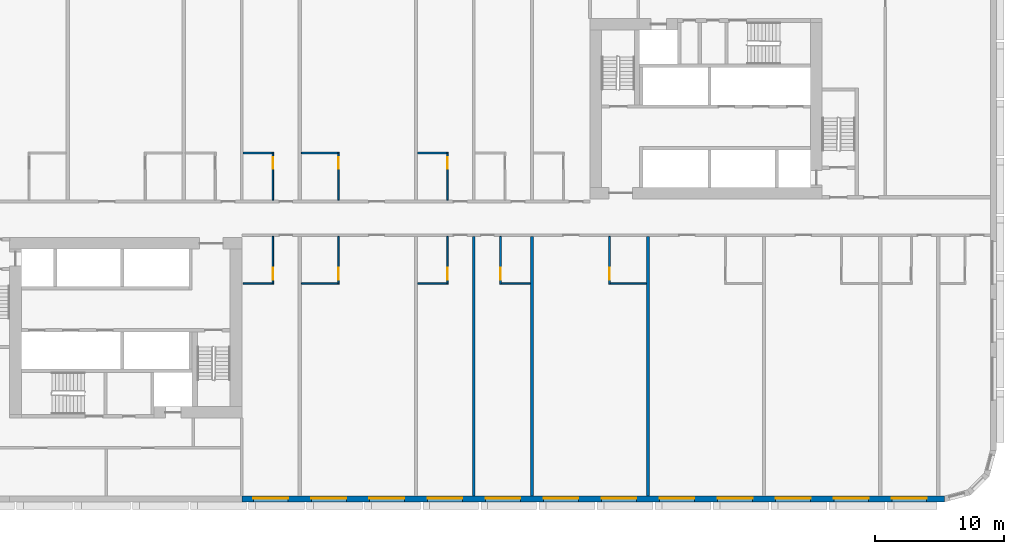
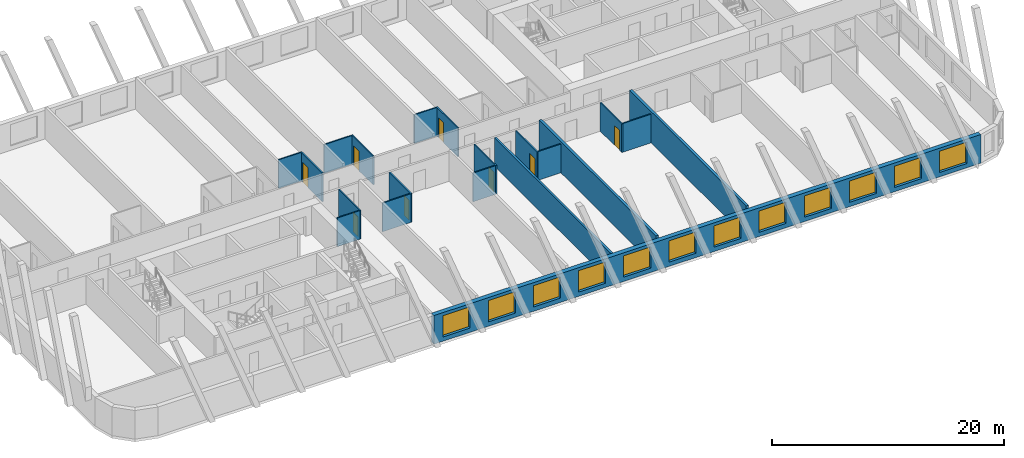
# One storey, part 4 of 13: 20 walls, 12 windows, 8 doors, 20 openings.
"""IFC4 building model written with IfcOpenShell, lengths in metres."""

from ifc_helpers import new_model, si_unit, direction, frame, frame_2d, origin, place, context, subcontext, project, spatial, rectangle, extrude, material, layer, layer_set, type_object, element, fill, save


model = new_model("IFC4")

# Units and contexts
model_context = context("Model", 3, precision=1e-05, world=origin(), true_north=direction((0.0, 1.0)))
body_context = subcontext(model_context, "Body", "Model", "MODEL_VIEW")
ifc_project = project(units=[si_unit("LENGTHUNIT", "METRE"), si_unit("AREAUNIT", "SQUARE_METRE"), si_unit("VOLUMEUNIT", "CUBIC_METRE"), si_unit("PLANEANGLEUNIT", "RADIAN"), si_unit("MASSUNIT", "GRAM", prefix="KILO")], contexts=[model_context])

# Site, building, storey
site_placement = place(None, origin())
site = spatial("IfcSite", under=ifc_project, at=site_placement, CompositionType="ELEMENT")
building_placement = place(site_placement, origin())
building = spatial("IfcBuilding", under=site, at=building_placement, Name="Kajstack Hotel Tower", CompositionType="ELEMENT")
storey_placement = place(building_placement, frame((0.0, 0.0, 60.0)))
storey = spatial("IfcBuildingStorey", under=building, at=storey_placement, Name="L09", CompositionType="ELEMENT", Elevation=60.0)

# Wall
ifc_material_1 = material(Name="Twin-frame gypsum board on steel studs, mineral wool", Category="steel")
ifc_layer_1 = layer(ifc_material_1, 0.199951171875)
ifc_layer_set_1 = layer_set([ifc_layer_1], Name="Demising wall 200")
wall_type_1 = type_object("IfcWallType", Name="Demising wall 200", PredefinedType="PARTITIONING", material=ifc_layer_set_1)
wall_1_placement = place(storey_placement, frame((4.5, -21.550048828125, 0.0), z_axis=(0.0, 0.0, 1.0), x_axis=(0.0, 1.0, 0.0)))
element("IfcWall", 1, at=wall_1_placement, inside=storey, type_object=wall_type_1, Name="G-wall-L09-031", PredefinedType="PARTITIONING", context=body_context, shape_type="SweptSolid", body=[
    extrude(rectangle(XDim=20.150146484375, YDim=0.199951171875, at=frame_2d((10.0751953125, 0.0))), origin(), (0.0, 0.0, 1.0), 3.02001953125),
])

# Wall, openings, windows
ifc_material_2 = material(Name="Terracotta-faced brick masonry", Category="masonry")
ifc_layer_2 = layer(ifc_material_2, 0.449951171875)
ifc_layer_set_2 = layer_set([ifc_layer_2], Name="EW-TERRA")
wall_type_2 = type_object("IfcWallType", Name="EW-TERRA", PredefinedType="SOLIDWALL", material=ifc_layer_set_2)
wall_2_placement = place(storey_placement, frame((-13.5, -21.77490234375, 0.0), z_axis=(0.0, 0.0, 1.0), x_axis=(1.0, 0.0, 0.0)))
wall_2 = element("IfcWall", 2, at=wall_2_placement, inside=storey, type_object=wall_type_2, Name="E-wall-L09-03-02", PredefinedType="SOLIDWALL", context=body_context, shape_type="SweptSolid", body=[
    extrude(rectangle(XDim=54.5, YDim=0.449951171875, at=frame_2d((27.25, 0.0))), origin(), (0.0, 0.0, 1.0), 3.02001953125),
])
opening_1_placement = place(wall_2_placement, frame((0.89990234375, 0.0, 0.449951171875)))
opening_1 = element("IfcOpeningElement", 3, at=opening_1_placement, cuts=wall_2, Name="Opening W1", PredefinedType="OPENING", context=body_context, shape_type="SweptSolid", body=[
    extrude(rectangle(XDim=2.699951171875, YDim=2.25, at=frame_2d((1.35009765625, 1.125))), frame((0.0, 0.23486328125, 0.0), z_axis=(0.0, -1.0, 0.0), x_axis=(1.0, 0.0, 0.0)), (0.0, 0.0, 1.0), 0.469970703125),
])
opening_2_placement = place(wall_2_placement, frame((5.39990234375, 0.0, 0.449951171875)))
opening_2 = element("IfcOpeningElement", 4, at=opening_2_placement, cuts=wall_2, Name="Opening W1", PredefinedType="OPENING", context=body_context, shape_type="SweptSolid", body=[
    extrude(rectangle(XDim=2.699951171875, YDim=2.25, at=frame_2d((1.35009765625, 1.125))), frame((0.0, 0.23486328125, 0.0), z_axis=(0.0, -1.0, 0.0), x_axis=(1.0, 0.0, 0.0)), (0.0, 0.0, 1.0), 0.469970703125),
])
opening_3_placement = place(wall_2_placement, frame((9.89990234375, 0.0, 0.449951171875)))
opening_3 = element("IfcOpeningElement", 5, at=opening_3_placement, cuts=wall_2, Name="Opening W1", PredefinedType="OPENING", context=body_context, shape_type="SweptSolid", body=[
    extrude(rectangle(XDim=2.699951171875, YDim=2.25, at=frame_2d((1.35009765625, 1.125))), frame((0.0, 0.23486328125, 0.0), z_axis=(0.0, -1.0, 0.0), x_axis=(1.0, 0.0, 0.0)), (0.0, 0.0, 1.0), 0.469970703125),
])
opening_4_placement = place(wall_2_placement, frame((14.39990234375, 0.0, 0.449951171875)))
opening_4 = element("IfcOpeningElement", 6, at=opening_4_placement, cuts=wall_2, Name="Opening W1", PredefinedType="OPENING", context=body_context, shape_type="SweptSolid", body=[
    extrude(rectangle(XDim=2.699951171875, YDim=2.25, at=frame_2d((1.35009765625, 1.125))), frame((0.0, 0.23486328125, 0.0), z_axis=(0.0, -1.0, 0.0), x_axis=(1.0, 0.0, 0.0)), (0.0, 0.0, 1.0), 0.469970703125),
])
opening_5_placement = place(wall_2_placement, frame((18.89990234375, 0.0, 0.449951171875)))
opening_5 = element("IfcOpeningElement", 7, at=opening_5_placement, cuts=wall_2, Name="Opening W1", PredefinedType="OPENING", context=body_context, shape_type="SweptSolid", body=[
    extrude(rectangle(XDim=2.699951171875, YDim=2.25, at=frame_2d((1.35009765625, 1.125))), frame((0.0, 0.23486328125, 0.0), z_axis=(0.0, -1.0, 0.0), x_axis=(1.0, 0.0, 0.0)), (0.0, 0.0, 1.0), 0.469970703125),
])
opening_6_placement = place(wall_2_placement, frame((23.39990234375, 0.0, 0.449951171875)))
opening_6 = element("IfcOpeningElement", 8, at=opening_6_placement, cuts=wall_2, Name="Opening W1", PredefinedType="OPENING", context=body_context, shape_type="SweptSolid", body=[
    extrude(rectangle(XDim=2.699951171875, YDim=2.25, at=frame_2d((1.35009765625, 1.125))), frame((0.0, 0.23486328125, 0.0), z_axis=(0.0, -1.0, 0.0), x_axis=(1.0, 0.0, 0.0)), (0.0, 0.0, 1.0), 0.469970703125),
])
opening_7_placement = place(wall_2_placement, frame((27.89990234375, 0.0, 0.449951171875)))
opening_7 = element("IfcOpeningElement", 9, at=opening_7_placement, cuts=wall_2, Name="Opening W1", PredefinedType="OPENING", context=body_context, shape_type="SweptSolid", body=[
    extrude(rectangle(XDim=2.699951171875, YDim=2.25, at=frame_2d((1.35009765625, 1.125))), frame((0.0, 0.23486328125, 0.0), z_axis=(0.0, -1.0, 0.0), x_axis=(1.0, 0.0, 0.0)), (0.0, 0.0, 1.0), 0.469970703125),
])
opening_8_placement = place(wall_2_placement, frame((32.39990234375, 0.0, 0.449951171875)))
opening_8 = element("IfcOpeningElement", 10, at=opening_8_placement, cuts=wall_2, Name="Opening W1", PredefinedType="OPENING", context=body_context, shape_type="SweptSolid", body=[
    extrude(rectangle(XDim=2.699951171875, YDim=2.25, at=frame_2d((1.35009765625, 1.125))), frame((0.0, 0.23486328125, 0.0), z_axis=(0.0, -1.0, 0.0), x_axis=(1.0, 0.0, 0.0)), (0.0, 0.0, 1.0), 0.469970703125),
])
opening_9_placement = place(wall_2_placement, frame((36.89990234375, 0.0, 0.449951171875)))
opening_9 = element("IfcOpeningElement", 11, at=opening_9_placement, cuts=wall_2, Name="Opening W1", PredefinedType="OPENING", context=body_context, shape_type="SweptSolid", body=[
    extrude(rectangle(XDim=2.699951171875, YDim=2.25, at=frame_2d((1.35009765625, 1.125))), frame((0.0, 0.23486328125, 0.0), z_axis=(0.0, -1.0, 0.0), x_axis=(1.0, 0.0, 0.0)), (0.0, 0.0, 1.0), 0.469970703125),
])
opening_10_placement = place(wall_2_placement, frame((41.39990234375, 0.0, 0.449951171875)))
opening_10 = element("IfcOpeningElement", 12, at=opening_10_placement, cuts=wall_2, Name="Opening W1", PredefinedType="OPENING", context=body_context, shape_type="SweptSolid", body=[
    extrude(rectangle(XDim=2.699951171875, YDim=2.25, at=frame_2d((1.35009765625, 1.125))), frame((0.0, 0.23486328125, 0.0), z_axis=(0.0, -1.0, 0.0), x_axis=(1.0, 0.0, 0.0)), (0.0, 0.0, 1.0), 0.469970703125),
])
opening_11_placement = place(wall_2_placement, frame((45.89990234375, 0.0, 0.449951171875)))
opening_11 = element("IfcOpeningElement", 13, at=opening_11_placement, cuts=wall_2, Name="Opening W1", PredefinedType="OPENING", context=body_context, shape_type="SweptSolid", body=[
    extrude(rectangle(XDim=2.699951171875, YDim=2.25, at=frame_2d((1.35009765625, 1.125))), frame((0.0, 0.23486328125, 0.0), z_axis=(0.0, -1.0, 0.0), x_axis=(1.0, 0.0, 0.0)), (0.0, 0.0, 1.0), 0.469970703125),
])
opening_12_placement = place(wall_2_placement, frame((50.39990234375, 0.0, 0.449951171875)))
opening_12 = element("IfcOpeningElement", 14, at=opening_12_placement, cuts=wall_2, Name="Opening W1", PredefinedType="OPENING", context=body_context, shape_type="SweptSolid", body=[
    extrude(rectangle(XDim=2.699951171875, YDim=2.25, at=frame_2d((1.35009765625, 1.125))), frame((0.0, 0.23486328125, 0.0), z_axis=(0.0, -1.0, 0.0), x_axis=(1.0, 0.0, 0.0)), (0.0, 0.0, 1.0), 0.469970703125),
])
ifc_material_3 = material(Name="Timber-aluminium window, triple glazed", Category="wood")
window_type = type_object("IfcWindowType", Name="WG1", PartitioningType="SINGLE_PANEL", PredefinedType="WINDOW", material=ifc_material_3)
window_1_placement = place(opening_1_placement, origin())
window_1 = element("IfcWindow", 15, at=window_1_placement, inside=storey, type_object=window_type, Name="Window W1 L09-03", OverallHeight=2.25, OverallWidth=2.699951171875, PartitioningType="SINGLE_PANEL", PredefinedType="WINDOW", context=body_context, shape_type="SweptSolid", body=[
    extrude(rectangle(XDim=2.699951171875, YDim=2.25, at=frame_2d((1.35009765625, 1.125))), frame((0.0, 0.090087890625, 0.0), z_axis=(0.0, -1.0, 0.0), x_axis=(1.0, 0.0, 0.0)), (0.0, 0.0, 1.0), 0.06005859375),
])
fill(opening_1, window_1)
window_2_placement = place(opening_2_placement, origin())
window_2 = element("IfcWindow", 16, at=window_2_placement, inside=storey, type_object=window_type, Name="Window W1 L09-03", OverallHeight=2.25, OverallWidth=2.699951171875, PartitioningType="SINGLE_PANEL", PredefinedType="WINDOW", context=body_context, shape_type="SweptSolid", body=[
    extrude(rectangle(XDim=2.699951171875, YDim=2.25, at=frame_2d((1.35009765625, 1.125))), frame((0.0, 0.090087890625, 0.0), z_axis=(0.0, -1.0, 0.0), x_axis=(1.0, 0.0, 0.0)), (0.0, 0.0, 1.0), 0.06005859375),
])
fill(opening_2, window_2)
window_3_placement = place(opening_3_placement, origin())
window_3 = element("IfcWindow", 17, at=window_3_placement, inside=storey, type_object=window_type, Name="Window W1 L09-03", OverallHeight=2.25, OverallWidth=2.699951171875, PartitioningType="SINGLE_PANEL", PredefinedType="WINDOW", context=body_context, shape_type="SweptSolid", body=[
    extrude(rectangle(XDim=2.699951171875, YDim=2.25, at=frame_2d((1.35009765625, 1.125))), frame((0.0, 0.090087890625, 0.0), z_axis=(0.0, -1.0, 0.0), x_axis=(1.0, 0.0, 0.0)), (0.0, 0.0, 1.0), 0.06005859375),
])
fill(opening_3, window_3)
window_4_placement = place(opening_4_placement, origin())
window_4 = element("IfcWindow", 18, at=window_4_placement, inside=storey, type_object=window_type, Name="Window W1 L09-03", OverallHeight=2.25, OverallWidth=2.699951171875, PartitioningType="SINGLE_PANEL", PredefinedType="WINDOW", context=body_context, shape_type="SweptSolid", body=[
    extrude(rectangle(XDim=2.699951171875, YDim=2.25, at=frame_2d((1.35009765625, 1.125))), frame((0.0, 0.090087890625, 0.0), z_axis=(0.0, -1.0, 0.0), x_axis=(1.0, 0.0, 0.0)), (0.0, 0.0, 1.0), 0.06005859375),
])
fill(opening_4, window_4)
window_5_placement = place(opening_5_placement, origin())
window_5 = element("IfcWindow", 19, at=window_5_placement, inside=storey, type_object=window_type, Name="Window W1 L09-03", OverallHeight=2.25, OverallWidth=2.699951171875, PartitioningType="SINGLE_PANEL", PredefinedType="WINDOW", context=body_context, shape_type="SweptSolid", body=[
    extrude(rectangle(XDim=2.699951171875, YDim=2.25, at=frame_2d((1.35009765625, 1.125))), frame((0.0, 0.090087890625, 0.0), z_axis=(0.0, -1.0, 0.0), x_axis=(1.0, 0.0, 0.0)), (0.0, 0.0, 1.0), 0.06005859375),
])
fill(opening_5, window_5)
window_6_placement = place(opening_6_placement, origin())
window_6 = element("IfcWindow", 20, at=window_6_placement, inside=storey, type_object=window_type, Name="Window W1 L09-03", OverallHeight=2.25, OverallWidth=2.699951171875, PartitioningType="SINGLE_PANEL", PredefinedType="WINDOW", context=body_context, shape_type="SweptSolid", body=[
    extrude(rectangle(XDim=2.699951171875, YDim=2.25, at=frame_2d((1.35009765625, 1.125))), frame((0.0, 0.090087890625, 0.0), z_axis=(0.0, -1.0, 0.0), x_axis=(1.0, 0.0, 0.0)), (0.0, 0.0, 1.0), 0.06005859375),
])
fill(opening_6, window_6)
window_7_placement = place(opening_7_placement, origin())
window_7 = element("IfcWindow", 21, at=window_7_placement, inside=storey, type_object=window_type, Name="Window W1 L09-03", OverallHeight=2.25, OverallWidth=2.699951171875, PartitioningType="SINGLE_PANEL", PredefinedType="WINDOW", context=body_context, shape_type="SweptSolid", body=[
    extrude(rectangle(XDim=2.699951171875, YDim=2.25, at=frame_2d((1.35009765625, 1.125))), frame((0.0, 0.090087890625, 0.0), z_axis=(0.0, -1.0, 0.0), x_axis=(1.0, 0.0, 0.0)), (0.0, 0.0, 1.0), 0.06005859375),
])
fill(opening_7, window_7)
window_8_placement = place(opening_8_placement, origin())
window_8 = element("IfcWindow", 22, at=window_8_placement, inside=storey, type_object=window_type, Name="Window W1 L09-03", OverallHeight=2.25, OverallWidth=2.699951171875, PartitioningType="SINGLE_PANEL", PredefinedType="WINDOW", context=body_context, shape_type="SweptSolid", body=[
    extrude(rectangle(XDim=2.699951171875, YDim=2.25, at=frame_2d((1.35009765625, 1.125))), frame((0.0, 0.090087890625, 0.0), z_axis=(0.0, -1.0, 0.0), x_axis=(1.0, 0.0, 0.0)), (0.0, 0.0, 1.0), 0.06005859375),
])
fill(opening_8, window_8)
window_9_placement = place(opening_9_placement, origin())
window_9 = element("IfcWindow", 23, at=window_9_placement, inside=storey, type_object=window_type, Name="Window W1 L09-03", OverallHeight=2.25, OverallWidth=2.699951171875, PartitioningType="SINGLE_PANEL", PredefinedType="WINDOW", context=body_context, shape_type="SweptSolid", body=[
    extrude(rectangle(XDim=2.699951171875, YDim=2.25, at=frame_2d((1.35009765625, 1.125))), frame((0.0, 0.090087890625, 0.0), z_axis=(0.0, -1.0, 0.0), x_axis=(1.0, 0.0, 0.0)), (0.0, 0.0, 1.0), 0.06005859375),
])
fill(opening_9, window_9)
window_10_placement = place(opening_10_placement, origin())
window_10 = element("IfcWindow", 24, at=window_10_placement, inside=storey, type_object=window_type, Name="Window W1 L09-03", OverallHeight=2.25, OverallWidth=2.699951171875, PartitioningType="SINGLE_PANEL", PredefinedType="WINDOW", context=body_context, shape_type="SweptSolid", body=[
    extrude(rectangle(XDim=2.699951171875, YDim=2.25, at=frame_2d((1.35009765625, 1.125))), frame((0.0, 0.090087890625, 0.0), z_axis=(0.0, -1.0, 0.0), x_axis=(1.0, 0.0, 0.0)), (0.0, 0.0, 1.0), 0.06005859375),
])
fill(opening_10, window_10)
window_11_placement = place(opening_11_placement, origin())
window_11 = element("IfcWindow", 25, at=window_11_placement, inside=storey, type_object=window_type, Name="Window W1 L09-03", OverallHeight=2.25, OverallWidth=2.699951171875, PartitioningType="SINGLE_PANEL", PredefinedType="WINDOW", context=body_context, shape_type="SweptSolid", body=[
    extrude(rectangle(XDim=2.699951171875, YDim=2.25, at=frame_2d((1.35009765625, 1.125))), frame((0.0, 0.090087890625, 0.0), z_axis=(0.0, -1.0, 0.0), x_axis=(1.0, 0.0, 0.0)), (0.0, 0.0, 1.0), 0.06005859375),
])
fill(opening_11, window_11)
window_12_placement = place(opening_12_placement, origin())
window_12 = element("IfcWindow", 26, at=window_12_placement, inside=storey, type_object=window_type, Name="Window W1 L09-03", OverallHeight=2.25, OverallWidth=2.699951171875, PartitioningType="SINGLE_PANEL", PredefinedType="WINDOW", context=body_context, shape_type="SweptSolid", body=[
    extrude(rectangle(XDim=2.699951171875, YDim=2.25, at=frame_2d((1.35009765625, 1.125))), frame((0.0, 0.090087890625, 0.0), z_axis=(0.0, -1.0, 0.0), x_axis=(1.0, 0.0, 0.0)), (0.0, 0.0, 1.0), 0.06005859375),
])
fill(opening_12, window_12)

# Wall, opening, door
ifc_material_4 = material(Name="Gypsum board and tiled backer on steel studs", Category="steel")
ifc_layer_3 = layer(ifc_material_4, 0.125)
ifc_layer_set_3 = layer_set([ifc_layer_3], Name="En-suite wall 125")
wall_type_3 = type_object("IfcWallType", Name="En-suite wall 125", PredefinedType="PARTITIONING", material=ifc_layer_set_3)
wall_3_placement = place(storey_placement, frame((-11.087890625, 1.39990234375, 0.0), z_axis=(0.0, 0.0, 1.0), x_axis=(0.0, 1.0, 0.0)))
wall_3 = element("IfcWall", 27, at=wall_3_placement, inside=storey, type_object=wall_type_3, Name="G-wall-L09-015", PredefinedType="PARTITIONING", context=body_context, shape_type="SweptSolid", body=[
    extrude(rectangle(XDim=3.72509765625, YDim=0.125, at=frame_2d((1.862548828125, 0.0))), origin(), (0.0, 0.0, 1.0), 3.02001953125),
])
opening_13_placement = place(wall_3_placement, frame((2.449951171875, 0.0, 0.0)))
opening_13 = element("IfcOpeningElement", 28, at=opening_13_placement, cuts=wall_3, Name="Opening 09012", PredefinedType="OPENING", context=body_context, shape_type="SweptSolid", body=[
    extrude(rectangle(XDim=0.89990234375, YDim=2.10009765625, at=frame_2d((0.449951171875, 1.050048828125))), frame((0.0, 0.072509765625, 0.0), z_axis=(0.0, -1.0, 0.0), x_axis=(1.0, 0.0, 0.0)), (0.0, 0.0, 1.0), 0.14501953125),
])
ifc_material_5 = material(Name="Painted timber door leaf", Category="wood")
door_type = type_object("IfcDoorType", Name="Room door 900", OperationType="SINGLE_SWING_LEFT", PredefinedType="DOOR", material=ifc_material_5)
door_1_placement = place(opening_13_placement, origin())
door_1 = element("IfcDoor", 29, at=door_1_placement, inside=storey, type_object=door_type, Name="G-door-L09-12", OperationType="SINGLE_SWING_RIGHT", OverallHeight=2.10009765625, OverallWidth=0.89990234375, PredefinedType="DOOR", context=body_context, shape_type="SweptSolid", body=[
    extrude(rectangle(XDim=0.89990234375, YDim=2.10009765625, at=frame_2d((0.449951171875, 1.050048828125))), frame((0.0, 0.02490234375, 0.0), z_axis=(0.0, -1.0, 0.0), x_axis=(1.0, 0.0, 0.0)), (0.0, 0.0, 1.0), 0.050048828125),
])
fill(opening_13, door_1)

# Wall
wall_4_placement = place(storey_placement, frame((-13.39990234375, 5.06201171875, 0.0), z_axis=(0.0, 0.0, 1.0), x_axis=(1.0, 0.0, 0.0)))
element("IfcWall", 30, at=wall_4_placement, inside=storey, type_object=wall_type_3, Name="G-wall-L09-016", PredefinedType="PARTITIONING", context=body_context, shape_type="SweptSolid", body=[
    extrude(rectangle(XDim=2.25, YDim=0.125, at=frame_2d((1.125, 0.0))), origin(), (0.0, 0.0, 1.0), 3.02001953125),
])

# Wall, opening, door
wall_5_placement = place(storey_placement, frame((-6.012939453125, 1.39990234375, 0.0), z_axis=(0.0, 0.0, 1.0), x_axis=(0.0, 1.0, 0.0)))
wall_5 = element("IfcWall", 31, at=wall_5_placement, inside=storey, type_object=wall_type_3, Name="G-wall-L09-017", PredefinedType="PARTITIONING", context=body_context, shape_type="SweptSolid", body=[
    extrude(rectangle(XDim=3.72509765625, YDim=0.125, at=frame_2d((1.862548828125, 0.0))), origin(), (0.0, 0.0, 1.0), 3.02001953125),
])
opening_14_placement = place(wall_5_placement, frame((2.449951171875, 0.0, 0.0)))
opening_14 = element("IfcOpeningElement", 32, at=opening_14_placement, cuts=wall_5, Name="Opening 09014", PredefinedType="OPENING", context=body_context, shape_type="SweptSolid", body=[
    extrude(rectangle(XDim=0.89990234375, YDim=2.10009765625, at=frame_2d((0.449951171875, 1.050048828125))), frame((0.0, 0.072509765625, 0.0), z_axis=(0.0, -1.0, 0.0), x_axis=(1.0, 0.0, 0.0)), (0.0, 0.0, 1.0), 0.14501953125),
])
door_2_placement = place(opening_14_placement, origin())
door_2 = element("IfcDoor", 33, at=door_2_placement, inside=storey, type_object=door_type, Name="G-door-L09-14", OperationType="SINGLE_SWING_RIGHT", OverallHeight=2.10009765625, OverallWidth=0.89990234375, PredefinedType="DOOR", context=body_context, shape_type="SweptSolid", body=[
    extrude(rectangle(XDim=0.89990234375, YDim=2.10009765625, at=frame_2d((0.449951171875, 1.050048828125))), frame((0.0, 0.02490234375, 0.0), z_axis=(0.0, -1.0, 0.0), x_axis=(1.0, 0.0, 0.0)), (0.0, 0.0, 1.0), 0.050048828125),
])
fill(opening_14, door_2)

# Wall
wall_6_placement = place(storey_placement, frame((-8.875, 5.06201171875, 0.0), z_axis=(0.0, 0.0, 1.0), x_axis=(1.0, 0.0, 0.0)))
element("IfcWall", 34, at=wall_6_placement, inside=storey, type_object=wall_type_3, Name="G-wall-L09-018", PredefinedType="PARTITIONING", context=body_context, shape_type="SweptSolid", body=[
    extrude(rectangle(XDim=2.800048828125, YDim=0.125, at=frame_2d((1.39990234375, 0.0))), origin(), (0.0, 0.0, 1.0), 3.02001953125),
])

# Wall, opening, door
wall_7_placement = place(storey_placement, frame((2.43798828125, 1.39990234375, 0.0), z_axis=(0.0, 0.0, 1.0), x_axis=(0.0, 1.0, 0.0)))
wall_7 = element("IfcWall", 35, at=wall_7_placement, inside=storey, type_object=wall_type_3, Name="G-wall-L09-020", PredefinedType="PARTITIONING", context=body_context, shape_type="SweptSolid", body=[
    extrude(rectangle(XDim=3.72509765625, YDim=0.125, at=frame_2d((1.862548828125, 0.0))), origin(), (0.0, 0.0, 1.0), 3.02001953125),
])
opening_15_placement = place(wall_7_placement, frame((2.449951171875, 0.0, 0.0)))
opening_15 = element("IfcOpeningElement", 36, at=opening_15_placement, cuts=wall_7, Name="Opening 09016", PredefinedType="OPENING", context=body_context, shape_type="SweptSolid", body=[
    extrude(rectangle(XDim=0.89990234375, YDim=2.10009765625, at=frame_2d((0.449951171875, 1.050048828125))), frame((0.0, 0.072509765625, 0.0), z_axis=(0.0, -1.0, 0.0), x_axis=(1.0, 0.0, 0.0)), (0.0, 0.0, 1.0), 0.14501953125),
])
door_3_placement = place(opening_15_placement, origin())
door_3 = element("IfcDoor", 37, at=door_3_placement, inside=storey, type_object=door_type, Name="G-door-L09-16", OperationType="SINGLE_SWING_RIGHT", OverallHeight=2.10009765625, OverallWidth=0.89990234375, PredefinedType="DOOR", context=body_context, shape_type="SweptSolid", body=[
    extrude(rectangle(XDim=0.89990234375, YDim=2.10009765625, at=frame_2d((0.449951171875, 1.050048828125))), frame((0.0, 0.02490234375, 0.0), z_axis=(0.0, -1.0, 0.0), x_axis=(1.0, 0.0, 0.0)), (0.0, 0.0, 1.0), 0.050048828125),
])
fill(opening_15, door_3)

# Wall
wall_8_placement = place(storey_placement, frame((0.125, 5.06201171875, 0.0), z_axis=(0.0, 0.0, 1.0), x_axis=(1.0, 0.0, 0.0)))
element("IfcWall", 38, at=wall_8_placement, inside=storey, type_object=wall_type_3, Name="G-wall-L09-021", PredefinedType="PARTITIONING", context=body_context, shape_type="SweptSolid", body=[
    extrude(rectangle(XDim=2.25, YDim=0.125, at=frame_2d((1.125, 0.0))), origin(), (0.0, 0.0, 1.0), 3.02001953125),
])

# Wall, opening, door
wall_9_placement = place(storey_placement, frame((-11.087890625, -5.125, 0.0), z_axis=(0.0, 0.0, 1.0), x_axis=(0.0, 1.0, 0.0)))
wall_9 = element("IfcWall", 39, at=wall_9_placement, inside=storey, type_object=wall_type_3, Name="G-wall-L09-027", PredefinedType="PARTITIONING", context=body_context, shape_type="SweptSolid", body=[
    extrude(rectangle(XDim=3.72509765625, YDim=0.125, at=frame_2d((1.862548828125, 0.0))), origin(), (0.0, 0.0, 1.0), 3.02001953125),
])
opening_16_placement = place(wall_9_placement, frame((0.375, 0.0, 0.0)))
opening_16 = element("IfcOpeningElement", 40, at=opening_16_placement, cuts=wall_9, Name="Opening 09022", PredefinedType="OPENING", context=body_context, shape_type="SweptSolid", body=[
    extrude(rectangle(XDim=0.89990234375, YDim=2.10009765625, at=frame_2d((0.449951171875, 1.050048828125))), frame((0.0, 0.072509765625, 0.0), z_axis=(0.0, -1.0, 0.0), x_axis=(1.0, 0.0, 0.0)), (0.0, 0.0, 1.0), 0.14501953125),
])
door_4_placement = place(opening_16_placement, origin())
door_4 = element("IfcDoor", 41, at=door_4_placement, inside=storey, type_object=door_type, Name="G-door-L09-22", OperationType="SINGLE_SWING_LEFT", OverallHeight=2.10009765625, OverallWidth=0.89990234375, PredefinedType="DOOR", context=body_context, shape_type="SweptSolid", body=[
    extrude(rectangle(XDim=0.89990234375, YDim=2.10009765625, at=frame_2d((0.449951171875, 1.050048828125))), frame((0.0, 0.02490234375, 0.0), z_axis=(0.0, -1.0, 0.0), x_axis=(1.0, 0.0, 0.0)), (0.0, 0.0, 1.0), 0.050048828125),
])
fill(opening_16, door_4)

# Wall
wall_10_placement = place(storey_placement, frame((-13.39990234375, -5.06201171875, 0.0), z_axis=(0.0, 0.0, 1.0), x_axis=(1.0, 0.0, 0.0)))
element("IfcWall", 42, at=wall_10_placement, inside=storey, type_object=wall_type_3, Name="G-wall-L09-028", PredefinedType="PARTITIONING", context=body_context, shape_type="SweptSolid", body=[
    extrude(rectangle(XDim=2.25, YDim=0.125, at=frame_2d((1.125, 0.0))), origin(), (0.0, 0.0, 1.0), 3.02001953125),
])

# Wall, opening, door
wall_11_placement = place(storey_placement, frame((-6.012939453125, -5.125, 0.0), z_axis=(0.0, 0.0, 1.0), x_axis=(0.0, 1.0, 0.0)))
wall_11 = element("IfcWall", 43, at=wall_11_placement, inside=storey, type_object=wall_type_3, Name="G-wall-L09-029", PredefinedType="PARTITIONING", context=body_context, shape_type="SweptSolid", body=[
    extrude(rectangle(XDim=3.72509765625, YDim=0.125, at=frame_2d((1.862548828125, 0.0))), origin(), (0.0, 0.0, 1.0), 3.02001953125),
])
opening_17_placement = place(wall_11_placement, frame((0.375, 0.0, 0.0)))
opening_17 = element("IfcOpeningElement", 44, at=opening_17_placement, cuts=wall_11, Name="Opening 09024", PredefinedType="OPENING", context=body_context, shape_type="SweptSolid", body=[
    extrude(rectangle(XDim=0.89990234375, YDim=2.10009765625, at=frame_2d((0.449951171875, 1.050048828125))), frame((0.0, 0.072509765625, 0.0), z_axis=(0.0, -1.0, 0.0), x_axis=(1.0, 0.0, 0.0)), (0.0, 0.0, 1.0), 0.14501953125),
])
door_5_placement = place(opening_17_placement, origin())
door_5 = element("IfcDoor", 45, at=door_5_placement, inside=storey, type_object=door_type, Name="G-door-L09-24", OperationType="SINGLE_SWING_RIGHT", OverallHeight=2.10009765625, OverallWidth=0.89990234375, PredefinedType="DOOR", context=body_context, shape_type="SweptSolid", body=[
    extrude(rectangle(XDim=0.89990234375, YDim=2.10009765625, at=frame_2d((0.449951171875, 1.050048828125))), frame((0.0, 0.02490234375, 0.0), z_axis=(0.0, -1.0, 0.0), x_axis=(1.0, 0.0, 0.0)), (0.0, 0.0, 1.0), 0.050048828125),
])
fill(opening_17, door_5)

# Wall
wall_12_placement = place(storey_placement, frame((-8.875, -5.06201171875, 0.0), z_axis=(0.0, 0.0, 1.0), x_axis=(1.0, 0.0, 0.0)))
element("IfcWall", 46, at=wall_12_placement, inside=storey, type_object=wall_type_3, Name="G-wall-L09-030", PredefinedType="PARTITIONING", context=body_context, shape_type="SweptSolid", body=[
    extrude(rectangle(XDim=2.800048828125, YDim=0.125, at=frame_2d((1.39990234375, 0.0))), origin(), (0.0, 0.0, 1.0), 3.02001953125),
])

# Wall, opening, door
wall_13_placement = place(storey_placement, frame((2.43798828125, -5.125, 0.0), z_axis=(0.0, 0.0, 1.0), x_axis=(0.0, 1.0, 0.0)))
wall_13 = element("IfcWall", 47, at=wall_13_placement, inside=storey, type_object=wall_type_3, Name="G-wall-L09-032", PredefinedType="PARTITIONING", context=body_context, shape_type="SweptSolid", body=[
    extrude(rectangle(XDim=3.72509765625, YDim=0.125, at=frame_2d((1.862548828125, 0.0))), origin(), (0.0, 0.0, 1.0), 3.02001953125),
])
opening_18_placement = place(wall_13_placement, frame((0.375, 0.0, 0.0)))
opening_18 = element("IfcOpeningElement", 48, at=opening_18_placement, cuts=wall_13, Name="Opening 09026", PredefinedType="OPENING", context=body_context, shape_type="SweptSolid", body=[
    extrude(rectangle(XDim=0.89990234375, YDim=2.10009765625, at=frame_2d((0.449951171875, 1.050048828125))), frame((0.0, 0.072509765625, 0.0), z_axis=(0.0, -1.0, 0.0), x_axis=(1.0, 0.0, 0.0)), (0.0, 0.0, 1.0), 0.14501953125),
])
door_6_placement = place(opening_18_placement, origin())
door_6 = element("IfcDoor", 49, at=door_6_placement, inside=storey, type_object=door_type, Name="G-door-L09-26", OperationType="SINGLE_SWING_RIGHT", OverallHeight=2.10009765625, OverallWidth=0.89990234375, PredefinedType="DOOR", context=body_context, shape_type="SweptSolid", body=[
    extrude(rectangle(XDim=0.89990234375, YDim=2.10009765625, at=frame_2d((0.449951171875, 1.050048828125))), frame((0.0, 0.02490234375, 0.0), z_axis=(0.0, -1.0, 0.0), x_axis=(1.0, 0.0, 0.0)), (0.0, 0.0, 1.0), 0.050048828125),
])
fill(opening_18, door_6)

# Wall
wall_14_placement = place(storey_placement, frame((0.125, -5.06201171875, 0.0), z_axis=(0.0, 0.0, 1.0), x_axis=(1.0, 0.0, 0.0)))
element("IfcWall", 50, at=wall_14_placement, inside=storey, type_object=wall_type_3, Name="G-wall-L09-033", PredefinedType="PARTITIONING", context=body_context, shape_type="SweptSolid", body=[
    extrude(rectangle(XDim=2.25, YDim=0.125, at=frame_2d((1.125, 0.0))), origin(), (0.0, 0.0, 1.0), 3.02001953125),
])

# Wall, opening, door
wall_15_placement = place(storey_placement, frame((6.56201171875, -5.125, 0.0), z_axis=(0.0, 0.0, 1.0), x_axis=(0.0, 1.0, 0.0)))
wall_15 = element("IfcWall", 51, at=wall_15_placement, inside=storey, type_object=wall_type_3, Name="G-wall-L09-034", PredefinedType="PARTITIONING", context=body_context, shape_type="SweptSolid", body=[
    extrude(rectangle(XDim=3.72509765625, YDim=0.125, at=frame_2d((1.862548828125, 0.0))), origin(), (0.0, 0.0, 1.0), 3.02001953125),
])
opening_19_placement = place(wall_15_placement, frame((0.375, 0.0, 0.0)))
opening_19 = element("IfcOpeningElement", 52, at=opening_19_placement, cuts=wall_15, Name="Opening 09028", PredefinedType="OPENING", context=body_context, shape_type="SweptSolid", body=[
    extrude(rectangle(XDim=0.89990234375, YDim=2.10009765625, at=frame_2d((0.449951171875, 1.050048828125))), frame((0.0, 0.072509765625, 0.0), z_axis=(0.0, -1.0, 0.0), x_axis=(1.0, 0.0, 0.0)), (0.0, 0.0, 1.0), 0.14501953125),
])
door_7_placement = place(opening_19_placement, origin())
door_7 = element("IfcDoor", 53, at=door_7_placement, inside=storey, type_object=door_type, Name="G-door-L09-28", OperationType="SINGLE_SWING_LEFT", OverallHeight=2.10009765625, OverallWidth=0.89990234375, PredefinedType="DOOR", context=body_context, shape_type="SweptSolid", body=[
    extrude(rectangle(XDim=0.89990234375, YDim=2.10009765625, at=frame_2d((0.449951171875, 1.050048828125))), frame((0.0, 0.02490234375, 0.0), z_axis=(0.0, -1.0, 0.0), x_axis=(1.0, 0.0, 0.0)), (0.0, 0.0, 1.0), 0.050048828125),
])
fill(opening_19, door_7)

# Wall
wall_16_placement = place(storey_placement, frame((6.625, -5.06201171875, 0.0), z_axis=(0.0, 0.0, 1.0), x_axis=(1.0, 0.0, 0.0)))
element("IfcWall", 54, at=wall_16_placement, inside=storey, type_object=wall_type_3, Name="G-wall-L09-035", PredefinedType="PARTITIONING", context=body_context, shape_type="SweptSolid", body=[
    extrude(rectangle(XDim=2.25, YDim=0.125, at=frame_2d((1.125, 0.0))), origin(), (0.0, 0.0, 1.0), 3.02001953125),
])

# Wall, opening, door
wall_17_placement = place(storey_placement, frame((15.011962890625, -5.125, 0.0), z_axis=(0.0, 0.0, 1.0), x_axis=(0.0, 1.0, 0.0)))
wall_17 = element("IfcWall", 55, at=wall_17_placement, inside=storey, type_object=wall_type_3, Name="G-wall-L09-036", PredefinedType="PARTITIONING", context=body_context, shape_type="SweptSolid", body=[
    extrude(rectangle(XDim=3.72509765625, YDim=0.125, at=frame_2d((1.862548828125, 0.0))), origin(), (0.0, 0.0, 1.0), 3.02001953125),
])
opening_20_placement = place(wall_17_placement, frame((0.375, 0.0, 0.0)))
opening_20 = element("IfcOpeningElement", 56, at=opening_20_placement, cuts=wall_17, Name="Opening 09030", PredefinedType="OPENING", context=body_context, shape_type="SweptSolid", body=[
    extrude(rectangle(XDim=0.89990234375, YDim=2.10009765625, at=frame_2d((0.449951171875, 1.050048828125))), frame((0.0, 0.072509765625, 0.0), z_axis=(0.0, -1.0, 0.0), x_axis=(1.0, 0.0, 0.0)), (0.0, 0.0, 1.0), 0.14501953125),
])
door_8_placement = place(opening_20_placement, origin())
door_8 = element("IfcDoor", 57, at=door_8_placement, inside=storey, type_object=door_type, Name="G-door-L09-30", OperationType="SINGLE_SWING_LEFT", OverallHeight=2.10009765625, OverallWidth=0.89990234375, PredefinedType="DOOR", context=body_context, shape_type="SweptSolid", body=[
    extrude(rectangle(XDim=0.89990234375, YDim=2.10009765625, at=frame_2d((0.449951171875, 1.050048828125))), frame((0.0, 0.02490234375, 0.0), z_axis=(0.0, -1.0, 0.0), x_axis=(1.0, 0.0, 0.0)), (0.0, 0.0, 1.0), 0.050048828125),
])
fill(opening_20, door_8)

# Walls
wall_18_placement = place(storey_placement, frame((15.074951171875, -5.06201171875, 0.0), z_axis=(0.0, 0.0, 1.0), x_axis=(1.0, 0.0, 0.0)))
element("IfcWall", 58, at=wall_18_placement, inside=storey, type_object=wall_type_3, Name="G-wall-L09-037", PredefinedType="PARTITIONING", context=body_context, shape_type="SweptSolid", body=[
    extrude(rectangle(XDim=2.800048828125, YDim=0.125, at=frame_2d((1.39990234375, 0.0))), origin(), (0.0, 0.0, 1.0), 3.02001953125),
])
ifc_material_6 = material(Name="Concrete C60/75", Category="concrete")
ifc_layer_4 = layer(ifc_material_6, 0.25)
ifc_layer_set_4 = layer_set([ifc_layer_4], Name="RC cross wall 250 C60/75")
wall_type_4 = type_object("IfcWallType", Name="RC cross wall 250 C60/75", PredefinedType="SHEAR", material=ifc_layer_set_4)
for number, where, z_axis, x_axis, name in (
    (59, (9.0, -21.5400390625, 0.0), (0.0, 0.0, 1.0), (0.0, 1.0, 0.0), "S-wall-L09-09"),
    (60, (18.0, -21.5400390625, 0.0), (0.0, 0.0, 1.0), (0.0, 1.0, 0.0), "S-wall-L09-11"),
):
    element("IfcWall", number, at=place(storey_placement, frame(where, z_axis=z_axis, x_axis=x_axis)), inside=storey, type_object=wall_type_4, Name=name, PredefinedType="SHEAR", context=body_context, shape_type="SweptSolid", body=[
        extrude(rectangle(XDim=20.14013671875, YDim=0.25, at=frame_2d((10.070068359375, 0.0))), origin(), (0.0, 0.0, 1.0), 3.300048828125),
    ])

save(model, "model.ifc")
